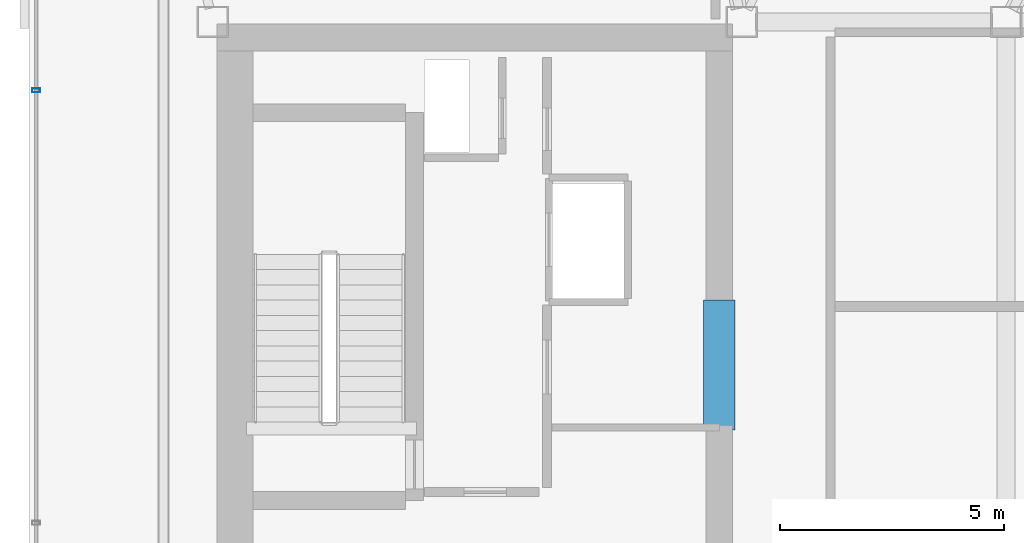
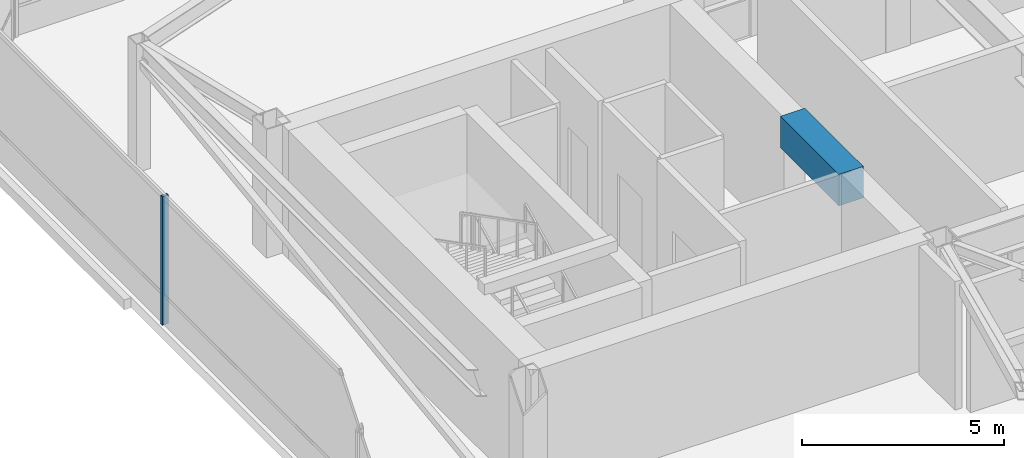
# One storey, part 6 of 22: 1 beam, 1 member, 1 element without a shape of its own.
"""IFC4 building model written with IfcOpenShell, lengths in metres."""

import ifcopenshell
import ifcopenshell.guid

model = None  # the IFC model being written
_history = None  # IfcOwnerHistory: only IFC2X3 demands one
_inside = {}  # id of a spatial element -> (the spatial element, [elements in it])
_under = {}  # id of a project, library or spatial element -> (it, [spatial elements below it])
_declared = {}  # id of a project -> (the project, [libraries it declares])
_typed = {}  # id of a type object -> (the type object, [elements of that type])
_made_of = {}  # id of a material, layer set ... -> (it, [elements and type objects made of it])


def new_model(schema):
    """Start an empty IFC model of exactly this schema.

    Asked for "IFC4X3", IfcOpenShell would pick the latest addendum, in which some entities
    have other attributes; the version numbers below select the first issue.
    IFC2X3 requires an IfcOwnerHistory on every rooted entity: one is made here for all.
    """
    global model, _history
    if schema == "IFC4X3":
        model = ifcopenshell.file(schema_version=(4, 3, 0, 0))
    else:
        model = ifcopenshell.file(schema=schema)
    _inside.clear()
    _under.clear()
    _declared.clear()
    _typed.clear()
    _made_of.clear()
    _history = None
    if model.schema == "IFC2X3":
        org = make("IfcOrganization", Name="unknown")
        user = make(
            "IfcPersonAndOrganization",
            ThePerson=make("IfcPerson", FamilyName="unknown"),
            TheOrganization=org,
        )
        app = make(
            "IfcApplication",
            ApplicationDeveloper=org,
            Version="unknown",
            ApplicationFullName="unknown",
            ApplicationIdentifier="unknown",
        )
        _history = make(
            "IfcOwnerHistory",
            OwningUser=user,
            OwningApplication=app,
            ChangeAction="ADDED",
            CreationDate=0,
        )
    return model


def make(cls, **values):
    """One entity of the class cls with the attributes given. An attribute that is None is left unset."""
    return model.create_entity(
        cls, **{name: value for name, value in values.items() if value is not None}
    )


def rooted(cls, **values):
    """An entity with a GlobalId (a new one), such as an element, a storey or a relation."""
    return make(cls, GlobalId=ifcopenshell.guid.new(), OwnerHistory=_history, **values)


def si_unit(unit_type, name, prefix=None):
    """IfcSIUnit, for example si_unit("LENGTHUNIT", "METRE", prefix="MILLI")."""
    return make("IfcSIUnit", UnitType=unit_type, Prefix=prefix, Name=name)


def assignment(units):
    """IfcUnitAssignment: the units of a project."""
    return None if units is None else make("IfcUnitAssignment", Units=units)


def point(xyz):
    """IfcCartesianPoint."""
    return None if xyz is None else make("IfcCartesianPoint", Coordinates=xyz)


def direction(xyz):
    """IfcDirection."""
    return None if xyz is None else make("IfcDirection", DirectionRatios=xyz)


def frame(location, z_axis=None, x_axis=None):
    """IfcAxis2Placement3D, a coordinate frame: its origin and axes. An axis left out is left unset."""
    return make(
        "IfcAxis2Placement3D",
        Location=point(location),
        Axis=direction(z_axis),
        RefDirection=direction(x_axis),
    )


def frame_2d(location, x_axis=None):
    """IfcAxis2Placement2D, a coordinate frame in the plane: its origin and x axis."""
    return make(
        "IfcAxis2Placement2D", Location=point(location), RefDirection=direction(x_axis)
    )


def origin():
    """The frame at (0, 0, 0) with its axes left unset."""
    return frame((0.0, 0.0, 0.0))


def origin_2d():
    """The frame at (0, 0) in the plane with its x axis left unset."""
    return frame_2d((0.0, 0.0))


def place(relative_to, where):
    """IfcLocalPlacement: puts the frame where relative to a parent placement (None: the world)."""
    return make(
        "IfcLocalPlacement", PlacementRelTo=relative_to, RelativePlacement=where
    )


def context(
    kind, dimensions, precision=None, world=None, true_north=None, identifier=None
):
    """IfcGeometricRepresentationContext, for example the 3D "Model" context."""
    return make(
        "IfcGeometricRepresentationContext",
        ContextIdentifier=identifier,
        ContextType=kind,
        CoordinateSpaceDimension=dimensions,
        Precision=precision,
        WorldCoordinateSystem=world,
        TrueNorth=true_north,
    )


def subcontext(parent, identifier, kind, view, scale=None):
    """IfcGeometricRepresentationSubContext, for example "Body" below "Model"."""
    return make(
        "IfcGeometricRepresentationSubContext",
        ContextIdentifier=identifier,
        ContextType=kind,
        ParentContext=parent,
        TargetScale=scale,
        TargetView=view,
    )


def project(units=None, contexts=None):
    """IfcProject with its units and contexts."""
    return rooted(
        "IfcProject",
        Name="project",
        RepresentationContexts=contexts,
        UnitsInContext=assignment(units),
    )


def spatial(cls, under=None, at=None, **own):
    """A site, building, storey or space (cls), placed at a placement, below another one or the project."""
    s = rooted(cls, ObjectPlacement=at, **own)
    if under is not None:
        _under.setdefault(under.id(), (under, []))[1].append(s)
    return s


def profile(cls, at=None, kind="AREA", **sizes):
    """A parametric profile (cls). Its sizes go by their IFC names, for example OverallWidth=200.0."""
    return make(cls, ProfileType=kind, Position=at, **sizes)


def rectangle(**sizes):
    """IfcRectangleProfileDef."""
    return profile("IfcRectangleProfileDef", **sizes)


def hollow_rectangle(**sizes):
    """IfcRectangleHollowProfileDef."""
    return profile("IfcRectangleHollowProfileDef", **sizes)


def extrude(swept, where, along, depth):
    """IfcExtrudedAreaSolid: the profile swept, set in the frame where, extruded along a direction by depth."""
    return make(
        "IfcExtrudedAreaSolid",
        SweptArea=swept,
        Position=where,
        ExtrudedDirection=direction(along),
        Depth=depth,
    )


def shape(context_of_items, identifier, shape_type, items):
    """IfcShapeRepresentation: the items that make up one representation, for example the "Body"."""
    return make(
        "IfcShapeRepresentation",
        ContextOfItems=context_of_items,
        RepresentationIdentifier=identifier,
        RepresentationType=shape_type,
        Items=items,
    )


def material(Name=None, Category=None):
    """IfcMaterial."""
    return make("IfcMaterial", Name=Name, Category=Category)


def layer(
    of_material, thickness, ventilated=None, Name=None, Category=None, Priority=None
):
    """IfcMaterialLayer: one layer of a wall or slab, of a material (None: an air gap)."""
    return make(
        "IfcMaterialLayer",
        Material=of_material,
        LayerThickness=thickness,
        IsVentilated=ventilated,
        Name=Name,
        Category=Category,
        Priority=Priority,
    )


def layer_set(layers, Name=None):
    """IfcMaterialLayerSet."""
    return make("IfcMaterialLayerSet", MaterialLayers=layers, LayerSetName=Name)


def material_profile(
    of_material, cross_section, Name=None, Category=None, Priority=None
):
    """IfcMaterialProfile: a cross section and its material."""
    return make(
        "IfcMaterialProfile",
        Name=Name,
        Material=of_material,
        Profile=cross_section,
        Priority=Priority,
        Category=Category,
    )


def profile_set(profiles, Name=None, composite=None):
    """IfcMaterialProfileSet."""
    return make(
        "IfcMaterialProfileSet",
        Name=Name,
        MaterialProfiles=profiles,
        CompositeProfile=composite,
    )


def made_of(thing, what):
    """Note that an element or type object is made of a material, layer set ...; save() writes the relation."""
    if what is not None:
        _made_of.setdefault(what.id(), (what, []))[1].append(thing)
    return thing


def type_object(cls, material=None, **own):
    """A type object (cls), such as IfcWallType, which elements share."""
    return made_of(rooted(cls, **own), material)


def element(
    cls,
    number,
    at=None,
    inside=None,
    cuts=None,
    type_object=None,
    material=None,
    context=None,
    identifier="Body",
    shape_type=None,
    held_by="IfcProductDefinitionShape",
    body=None,
    shapes=None,
    **own,
):
    """One element of the class cls, such as IfcWall. Its Tag is "e" and its number.

    at: its placement. inside: the storey or other place that contains it. cuts: it is an
    opening in that element (IfcRelVoidsElement). A single representation is given by context,
    identifier, shape_type and body (its items); several are given by shapes. held_by: the class
    of the entity that holds the representations. save() writes the other relations.
    """
    e = rooted(cls, Tag="e%d" % number, ObjectPlacement=at, **own)
    if body is not None:
        shapes = [shape(context, identifier, shape_type, body)]
    if shapes is not None:
        e.Representation = make(held_by, Representations=shapes)
    if inside is not None:
        _inside.setdefault(inside.id(), (inside, []))[1].append(e)
    if cuts is not None:
        rooted(
            "IfcRelVoidsElement", RelatingBuildingElement=cuts, RelatedOpeningElement=e
        )
    if type_object is not None:
        _typed.setdefault(type_object.id(), (type_object, []))[1].append(e)
    return made_of(e, material)


def aggregate(whole, parts):
    """IfcRelAggregates: a whole, such as a stair, and the parts it consists of."""
    return rooted("IfcRelAggregates", RelatingObject=whole, RelatedObjects=parts)


def save(model, path):
    """Write the relations noted so far, then the file.

    IfcRelAggregates (storeys below a building ...), IfcRelContainedInSpatialStructure (elements
    in a storey), IfcRelDefinesByType, IfcRelAssociatesMaterial and IfcRelDeclares: one each for
    every whole, place, type object, material and project.
    """
    for whole, parts in _under.values():
        aggregate(whole, parts)
    for where, things in _inside.values():
        rooted(
            "IfcRelContainedInSpatialStructure",
            RelatedElements=things,
            RelatingStructure=where,
        )
    for kind, things in _typed.values():
        rooted("IfcRelDefinesByType", RelatedObjects=things, RelatingType=kind)
    for what, things in _made_of.values():
        rooted("IfcRelAssociatesMaterial", RelatedObjects=things, RelatingMaterial=what)
    for by, libraries in _declared.values():
        rooted("IfcRelDeclares", RelatingContext=by, RelatedDefinitions=libraries)
    model.write(path)


model = new_model("IFC4")

# Units and contexts
model_context = context("Model", 3, precision=1e-05, world=origin(), true_north=direction((0.0, 1.0)))
body_context = subcontext(model_context, "Body", "Model", "MODEL_VIEW")
ifc_project = project(units=[si_unit("LENGTHUNIT", "METRE"), si_unit("AREAUNIT", "SQUARE_METRE"), si_unit("VOLUMEUNIT", "CUBIC_METRE"), si_unit("PLANEANGLEUNIT", "RADIAN"), si_unit("MASSUNIT", "GRAM", prefix="KILO")], contexts=[model_context])

# Site, building, storey
site_placement = place(None, origin())
site = spatial("IfcSite", under=ifc_project, at=site_placement, CompositionType="ELEMENT")
building_placement = place(site_placement, origin())
building = spatial("IfcBuilding", under=site, at=building_placement, Name="Tavrogorsk Clinical Tower", CompositionType="ELEMENT")
storey_placement = place(building_placement, frame((0.0, 0.0, 352.800048828125)))
storey = spatial("IfcBuildingStorey", under=building, at=storey_placement, Name="L82", CompositionType="ELEMENT", Elevation=352.800048828125)

# Beam
ifc_material_1 = material(Name="Concrete B80", Category="concrete")
ifc_material_profile_1 = material_profile(ifc_material_1, rectangle(XDim=0.699951171875, YDim=0.949951171875, at=origin_2d()), Name="RC-CB-700x950")
ifc_profile_set_1 = profile_set([ifc_material_profile_1], Name="Concrete B80")
beam_type = type_object("IfcBeamType", Name="CouplingBeam_RC700x950", PredefinedType="LINTEL", material=ifc_profile_set_1)
beam_placement = place(storey_placement, frame((-10.800048828125, -2.75, 3.405029296875), z_axis=(0.0, 1.0, 0.0), x_axis=(-1.0, 0.0, 0.0)))
element("IfcBeam", 1, at=beam_placement, inside=storey, type_object=beam_type, Name="L82 Core West Coupling Beam", PredefinedType="LINTEL", context=body_context, shape_type="SweptSolid", body=[
    extrude(rectangle(XDim=0.699951171875, YDim=0.949951171875, at=origin_2d()), origin(), (0.0, 0.0, 1.0), 2.89990234375),
])

# Curtain wall, member
ifc_material_2 = material(Name="Anodised aluminium and triple IGU glazing", Category="aluminium")
ifc_layer = layer(ifc_material_2, 0.179931640625)
ifc_layer_set = layer_set([ifc_layer], Name="Anodised aluminium and triple IGU glazing")
curtain_wall_type = type_object("IfcCurtainWallType", Name="CW5_SkyLobby", PredefinedType="NOTDEFINED", material=ifc_layer_set)
curtain_wall_placement = place(storey_placement, origin())
curtain_wall = element("IfcCurtainWall", 2, at=curtain_wall_placement, inside=storey, type_object=curtain_wall_type, Name="L82 Curtain Wall CW-L82-DRUM-2", PredefinedType="NOTDEFINED")
ifc_material_3 = material(Name="Anodised aluminium alloy AW-6060", Category="aluminium")
ifc_material_profile_2 = material_profile(ifc_material_3, hollow_rectangle(XDim=0.090087890625, YDim=0.179931640625, WallThickness=0.00634765625, at=origin_2d()), Name="RHS-180x90x6.3")
ifc_profile_set_2 = profile_set([ifc_material_profile_2], Name="Anodised aluminium alloy AW-6060")
member_type = type_object("IfcMemberType", Name="CwMullion_180x90", PredefinedType="MULLION", material=ifc_profile_set_2)
member_placement = place(storey_placement, frame((-26.0400390625, 4.824462890625, 0.0), z_axis=(0.0, 0.0, 1.0), x_axis=(0.0, 1.0, 0.0)))
member = element("IfcMember", 3, at=member_placement, type_object=member_type, Name="CW-L82-DRUM-2 Mullion 3", PredefinedType="MULLION", context=body_context, shape_type="SweptSolid", body=[
    extrude(hollow_rectangle(XDim=0.090087890625, YDim=0.179931640625, WallThickness=0.00634765625, at=origin_2d()), origin(), (0.0, 0.0, 1.0), 3.8798828125),
])
aggregate(curtain_wall, [member])

save(model, "model.ifc")
